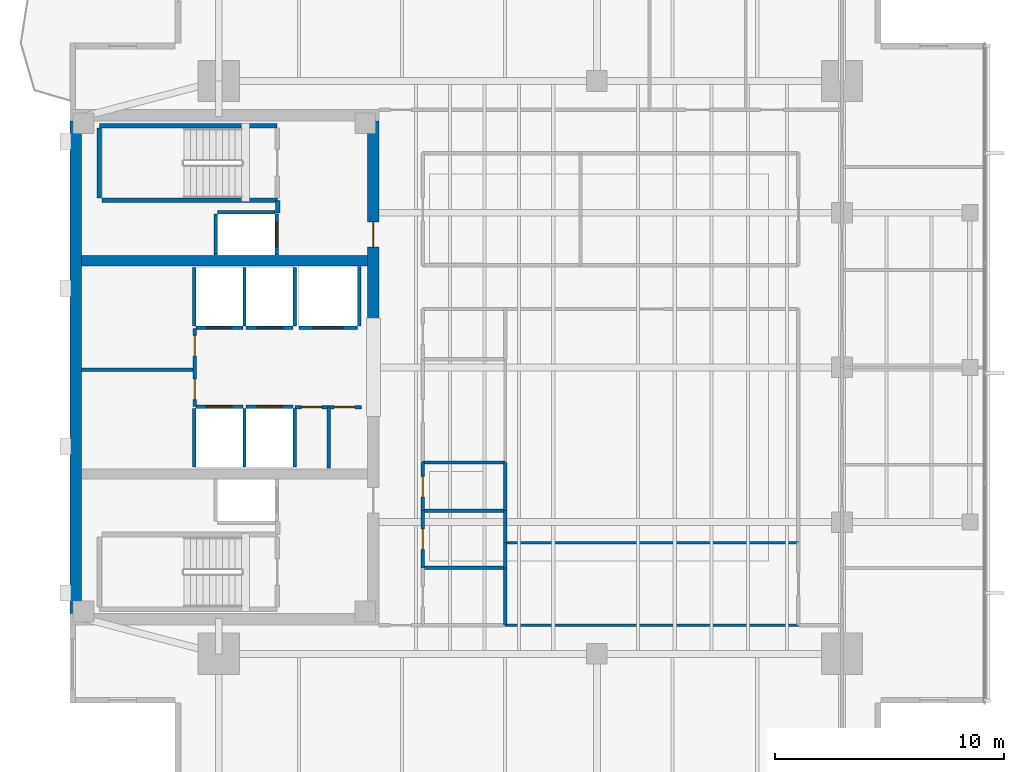
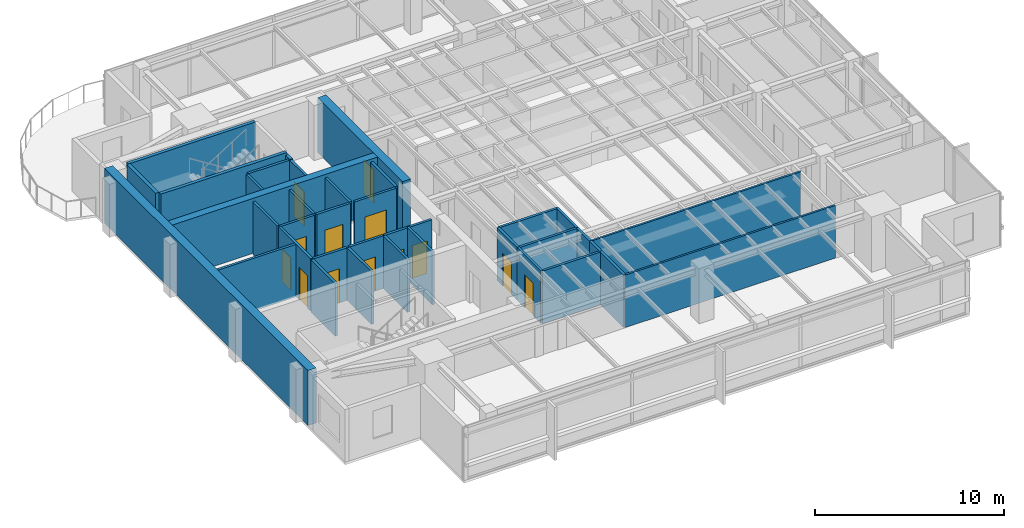
# One storey, part 7 of 13: 37 walls, 13 doors, 13 openings.
"""IFC4 building model written with IfcOpenShell, lengths in metres."""

from ifc_helpers import new_model, si_unit, direction, frame, frame_2d, origin, place, context, subcontext, project, spatial, rectangle, extrude, material, layer, layer_set, type_object, element, fill, save


model = new_model("IFC4")

# Units and contexts
model_context = context("Model", 3, precision=1e-05, world=origin(), true_north=direction((0.0, 1.0)))
body_context = subcontext(model_context, "Body", "Model", "MODEL_VIEW")
ifc_project = project(units=[si_unit("LENGTHUNIT", "METRE"), si_unit("AREAUNIT", "SQUARE_METRE"), si_unit("VOLUMEUNIT", "CUBIC_METRE"), si_unit("PLANEANGLEUNIT", "RADIAN"), si_unit("MASSUNIT", "GRAM", prefix="KILO")], contexts=[model_context])

# Site, building, storey
site_placement = place(None, origin())
site = spatial("IfcSite", under=ifc_project, at=site_placement, CompositionType="ELEMENT")
building_placement = place(site_placement, origin())
building = spatial("IfcBuilding", under=site, at=building_placement, Name="Kinhvarn Gate Tower", CompositionType="ELEMENT")
storey_placement = place(building_placement, frame((0.0, 0.0, 288.300048828125)))
storey = spatial("IfcBuildingStorey", under=building, at=storey_placement, Name="L77", CompositionType="ELEMENT", Elevation=288.300048828125)

# Wall
ifc_material_1 = material(Name="Concrete C50/60", Category="concrete")
ifc_layer_1 = layer(ifc_material_1, 0.449951171875)
ifc_layer_set_1 = layer_set([ifc_layer_1], Name="Concrete C50/60")
wall_type_1 = type_object("IfcWallType", Name="WL-CORE-450", PredefinedType="SHEAR", material=ifc_layer_set_1)
wall_1_placement = place(storey_placement, frame((5.0, 29.89990234375, 0.0), z_axis=(0.0, 0.0, 1.0), x_axis=(1.0, 0.0, 0.0)))
element("IfcWall", 1, at=wall_1_placement, inside=storey, type_object=wall_type_1, Name="Core North Spine Shear Wall L77 450 mm", PredefinedType="SHEAR", context=body_context, shape_type="SweptSolid", body=[
    extrude(rectangle(XDim=12.5, YDim=0.449951171875, at=frame_2d((6.25, 0.0))), origin(), (0.0, 0.0, 1.0), 3.550048828125),
])

# Wall, opening, door
ifc_layer_2 = layer(ifc_material_1, 0.5)
ifc_layer_set_2 = layer_set([ifc_layer_2], Name="Concrete C50/60")
wall_type_2 = type_object("IfcWallType", Name="WL-CORE-500", PredefinedType="SHEAR", material=ifc_layer_set_2)
wall_2_placement = place(storey_placement, frame((17.75, 27.050048828125, 0.0), z_axis=(0.0, 0.0, 1.0), x_axis=(0.0, 1.0, 0.0)))
wall_2 = element("IfcWall", 2, at=wall_2_placement, inside=storey, type_object=wall_type_2, Name="Core East-North Shear Pier L77 500 mm", PredefinedType="SHEAR", context=body_context, shape_type="SweptSolid", body=[
    extrude(rectangle(XDim=8.949951171875, YDim=0.5, at=frame_2d((4.47509765625, 0.0))), origin(), (0.0, 0.0, 1.0), 3.550048828125),
])
opening_1_placement = place(wall_2_placement, frame((3.449951171875, 0.0, 0.0)))
opening_1 = element("IfcOpeningElement", 3, at=opening_1_placement, cuts=wall_2, Name="Opening FD-02", PredefinedType="OPENING", context=body_context, shape_type="SweptSolid", body=[
    extrude(rectangle(XDim=1.10009765625, YDim=2.14990234375, at=frame_2d((0.550048828125, 1.074951171875))), frame((0.0, 0.260009765625, 0.0), z_axis=(0.0, -1.0, 0.0), x_axis=(1.0, 0.0, 0.0)), (0.0, 0.0, 1.0), 0.52001953125),
])
ifc_material_2 = material(Name="Anodised aluminium AW-6063", Category="aluminium")
door_type_1 = type_object("IfcDoorType", Name="DR-FD-1100", OperationType="NOTDEFINED", PredefinedType="DOOR", material=ifc_material_2)
door_1_placement = place(opening_1_placement, origin())
door_1 = element("IfcDoor", 4, at=door_1_placement, inside=storey, type_object=door_type_1, Name="Firefighting Lobby Core Door (L77)", OperationType="SINGLE_SWING_LEFT", OverallHeight=2.14990234375, OverallWidth=1.10009765625, PredefinedType="DOOR", context=body_context, shape_type="SweptSolid", body=[
    extrude(rectangle(XDim=1.10009765625, YDim=2.14990234375, at=frame_2d((0.550048828125, 1.074951171875))), frame((0.0, 0.02490234375, 0.0), z_axis=(0.0, -1.0, 0.0), x_axis=(1.0, 0.0, 0.0)), (0.0, 0.0, 1.0), 0.050048828125),
])
fill(opening_1, door_1)

# Walls
ifc_layer_3 = layer(ifc_material_1, 0.5)
ifc_layer_set_3 = layer_set([ifc_layer_3], Name="Concrete C50/60")
wall_type_3 = type_object("IfcWallType", Name="WL-COREX-500", PredefinedType="SHEAR", material=ifc_layer_set_3)
wall_3_placement = place(storey_placement, frame((4.75, 14.5, 0.0), z_axis=(0.0, 0.0, 1.0), x_axis=(0.0, 1.0, 0.0)))
element("IfcWall", 5, at=wall_3_placement, inside=storey, type_object=wall_type_3, Name="Core West Shear Wall L77 500 mm", PredefinedType="SHEAR", context=body_context, shape_type="SweptSolid", body=[
    extrude(rectangle(XDim=21.5, YDim=0.5, at=frame_2d((10.75, 0.0))), origin(), (0.0, 0.0, 1.0), 3.550048828125),
])
ifc_material_3 = material(Name="Gypsum acoustic partition board")
ifc_layer_4 = layer(ifc_material_3, 0.14990234375)
ifc_layer_set_4 = layer_set([ifc_layer_4], Name="Gypsum acoustic partition board")
wall_type_4 = type_object("IfcWallType", Name="WL-PLM-150", PredefinedType="PLUMBINGWALL", material=ifc_layer_set_4)
wall_4_placement = place(storey_placement, frame((19.89990234375, 16.5, 0.0), z_axis=(0.0, 0.0, 1.0), x_axis=(1.0, 0.0, 0.0)))
element("IfcWall", 6, at=wall_4_placement, inside=storey, type_object=wall_type_4, Name="Interior Partition PLW-150 (L77)", PredefinedType="PLUMBINGWALL", context=body_context, shape_type="SweptSolid", body=[
    extrude(rectangle(XDim=3.60009765625, YDim=0.14990234375, at=frame_2d((1.800048828125, 0.0))), origin(), (0.0, 0.0, 1.0), 3.389892578125),
])
wall_5_placement = place(storey_placement, frame((23.5, 14.0, 0.0), z_axis=(0.0, 0.0, 1.0), x_axis=(0.0, 1.0, 0.0)))
element("IfcWall", 7, at=wall_5_placement, inside=storey, type_object=wall_type_4, Name="Interior Partition PLW-150 (L77)", PredefinedType="PLUMBINGWALL", context=body_context, shape_type="SweptSolid", body=[
    extrude(rectangle(XDim=2.5, YDim=0.14990234375, at=frame_2d((1.25, 0.0))), origin(), (0.0, 0.0, 1.0), 3.389892578125),
])
wall_6_placement = place(storey_placement, frame((19.89990234375, 19.0, 0.0), z_axis=(0.0, 0.0, 1.0), x_axis=(1.0, 0.0, 0.0)))
element("IfcWall", 8, at=wall_6_placement, inside=storey, type_object=wall_type_4, Name="Interior Partition PLW-150 (L77)", PredefinedType="PLUMBINGWALL", context=body_context, shape_type="SweptSolid", body=[
    extrude(rectangle(XDim=3.60009765625, YDim=0.14990234375, at=frame_2d((1.800048828125, 0.0))), origin(), (0.0, 0.0, 1.0), 3.389892578125),
])
wall_7_placement = place(storey_placement, frame((23.5, 16.5, 0.0), z_axis=(0.0, 0.0, 1.0), x_axis=(0.0, 1.0, 0.0)))
element("IfcWall", 9, at=wall_7_placement, inside=storey, type_object=wall_type_4, Name="Interior Partition PLW-150 (L77)", PredefinedType="PLUMBINGWALL", context=body_context, shape_type="SweptSolid", body=[
    extrude(rectangle(XDim=1.10009765625, YDim=0.14990234375, at=frame_2d((0.550048828125, 0.0))), origin(), (0.0, 0.0, 1.0), 3.389892578125),
])
wall_8_placement = place(storey_placement, frame((23.5, 17.60009765625, 0.0), z_axis=(0.0, 0.0, 1.0), x_axis=(0.0, 1.0, 0.0)))
element("IfcWall", 10, at=wall_8_placement, inside=storey, type_object=wall_type_4, Name="Interior Partition PLW-150 (L77)", PredefinedType="PLUMBINGWALL", context=body_context, shape_type="SweptSolid", body=[
    extrude(rectangle(XDim=1.39990234375, YDim=0.14990234375, at=frame_2d((0.699951171875, 0.0))), origin(), (0.0, 0.0, 1.0), 3.389892578125),
])
wall_9_placement = place(storey_placement, frame((19.89990234375, 21.10009765625, 0.0), z_axis=(0.0, 0.0, 1.0), x_axis=(1.0, 0.0, 0.0)))
element("IfcWall", 11, at=wall_9_placement, inside=storey, type_object=wall_type_4, Name="Interior Partition PLW-150 (L77)", PredefinedType="PLUMBINGWALL", context=body_context, shape_type="SweptSolid", body=[
    extrude(rectangle(XDim=3.60009765625, YDim=0.14990234375, at=frame_2d((1.800048828125, 0.0))), origin(), (0.0, 0.0, 1.0), 3.389892578125),
])
wall_10_placement = place(storey_placement, frame((23.5, 19.0, 0.0), z_axis=(0.0, 0.0, 1.0), x_axis=(0.0, 1.0, 0.0)))
element("IfcWall", 12, at=wall_10_placement, inside=storey, type_object=wall_type_4, Name="Interior Partition PLW-150 (L77)", PredefinedType="PLUMBINGWALL", context=body_context, shape_type="SweptSolid", body=[
    extrude(rectangle(XDim=2.10009765625, YDim=0.14990234375, at=frame_2d((1.050048828125, 0.0))), origin(), (0.0, 0.0, 1.0), 3.389892578125),
])

# Wall, opening, door
ifc_layer_5 = layer(ifc_material_3, 0.14990234375)
ifc_layer_set_5 = layer_set([ifc_layer_5], Name="Gypsum acoustic partition board")
wall_type_5 = type_object("IfcWallType", Name="WL-PLM-150F", PredefinedType="PLUMBINGWALL", material=ifc_layer_set_5)
wall_11_placement = place(storey_placement, frame((19.89990234375, 16.5, 0.0), z_axis=(0.0, 0.0, 1.0), x_axis=(0.0, 1.0, 0.0)))
wall_11 = element("IfcWall", 13, at=wall_11_placement, inside=storey, type_object=wall_type_5, Name="Interior Partition PLW-150F (L77)", PredefinedType="PLUMBINGWALL", context=body_context, shape_type="SweptSolid", body=[
    extrude(rectangle(XDim=2.5, YDim=0.14990234375, at=frame_2d((1.25, 0.0))), origin(), (0.0, 0.0, 1.0), 3.389892578125),
])
opening_2_placement = place(wall_11_placement, frame((0.800048828125, 0.0, 0.0)))
opening_2 = element("IfcOpeningElement", 14, at=opening_2_placement, cuts=wall_11, Name="Opening FD-04", PredefinedType="OPENING", context=body_context, shape_type="SweptSolid", body=[
    extrude(rectangle(XDim=0.89990234375, YDim=2.10009765625, at=frame_2d((0.449951171875, 1.050048828125))), frame((0.0, 0.0849609375, 0.0), z_axis=(0.0, -1.0, 0.0), x_axis=(1.0, 0.0, 0.0)), (0.0, 0.0, 1.0), 0.169921875),
])
door_type_2 = type_object("IfcDoorType", Name="DR-FD-900", OperationType="NOTDEFINED", PredefinedType="DOOR", material=ifc_material_2)
door_2_placement = place(opening_2_placement, origin())
door_2 = element("IfcDoor", 15, at=door_2_placement, inside=storey, type_object=door_type_2, Name="Rated Riser & Service Closet Fire Door 900x2100 mm (L77)", OperationType="SINGLE_SWING_RIGHT", OverallHeight=2.10009765625, OverallWidth=0.89990234375, PredefinedType="DOOR", context=body_context, shape_type="SweptSolid", body=[
    extrude(rectangle(XDim=0.89990234375, YDim=2.10009765625, at=frame_2d((0.449951171875, 1.050048828125))), frame((0.0, 0.02490234375, 0.0), z_axis=(0.0, -1.0, 0.0), x_axis=(1.0, 0.0, 0.0)), (0.0, 0.0, 1.0), 0.050048828125),
])
fill(opening_2, door_2)

wall_12_placement = place(storey_placement, frame((19.89990234375, 19.0, 0.0), z_axis=(0.0, 0.0, 1.0), x_axis=(0.0, 1.0, 0.0)))
wall_12 = element("IfcWall", 16, at=wall_12_placement, inside=storey, type_object=wall_type_5, Name="Interior Partition PLW-150F (L77)", PredefinedType="PLUMBINGWALL", context=body_context, shape_type="SweptSolid", body=[
    extrude(rectangle(XDim=2.10009765625, YDim=0.14990234375, at=frame_2d((1.050048828125, 0.0))), origin(), (0.0, 0.0, 1.0), 3.389892578125),
])
opening_3_placement = place(wall_12_placement, frame((0.60009765625, 0.0, 0.0)))
opening_3 = element("IfcOpeningElement", 17, at=opening_3_placement, cuts=wall_12, Name="Opening FD-04", PredefinedType="OPENING", context=body_context, shape_type="SweptSolid", body=[
    extrude(rectangle(XDim=0.89990234375, YDim=2.10009765625, at=frame_2d((0.449951171875, 1.050048828125))), frame((0.0, 0.0849609375, 0.0), z_axis=(0.0, -1.0, 0.0), x_axis=(1.0, 0.0, 0.0)), (0.0, 0.0, 1.0), 0.169921875),
])
door_3_placement = place(opening_3_placement, origin())
door_3 = element("IfcDoor", 18, at=door_3_placement, inside=storey, type_object=door_type_2, Name="Rated Riser & Service Closet Fire Door 900x2100 mm (L77)", OperationType="SINGLE_SWING_LEFT", OverallHeight=2.10009765625, OverallWidth=0.89990234375, PredefinedType="DOOR", context=body_context, shape_type="SweptSolid", body=[
    extrude(rectangle(XDim=0.89990234375, YDim=2.10009765625, at=frame_2d((0.449951171875, 1.050048828125))), frame((0.0, 0.02490234375, 0.0), z_axis=(0.0, -1.0, 0.0), x_axis=(1.0, 0.0, 0.0)), (0.0, 0.0, 1.0), 0.050048828125),
])
fill(opening_3, door_3)

# Walls
ifc_layer_6 = layer(ifc_material_3, 0.1201171875)
ifc_layer_set_6 = layer_set([ifc_layer_6], Name="Gypsum acoustic partition board")
wall_type_6 = type_object("IfcWallType", Name="WL-PRT-120", PredefinedType="PARTITIONING", material=ifc_layer_set_6)
for number, where, z_axis, x_axis, name in (
    (19, (23.5, 17.60009765625, 0.0), (0.0, 0.0, 1.0), (1.0, 0.0, 0.0), "Interior Partition PW-120 (L77)"),
    (20, (23.5, 14.0, 0.0), (0.0, 0.0, 1.0), (1.0, 0.0, 0.0), "Interior Partition PW-120 (L77)"),
):
    element("IfcWall", number, at=place(storey_placement, frame(where, z_axis=z_axis, x_axis=x_axis)), inside=storey, type_object=wall_type_6, Name=name, PredefinedType="PARTITIONING", context=body_context, shape_type="SweptSolid", body=[
        extrude(rectangle(XDim=12.800048828125, YDim=0.1201171875, at=frame_2d((6.39990234375, 0.0))), origin(), (0.0, 0.0, 1.0), 3.389892578125),
    ])
ifc_layer_7 = layer(ifc_material_3, 0.14990234375)
ifc_layer_set_7 = layer_set([ifc_layer_7], Name="Gypsum acoustic partition board")
wall_type_7 = type_object("IfcWallType", Name="WL-PRT-150F", PredefinedType="PARTITIONING", material=ifc_layer_set_7)
wall_13_placement = place(storey_placement, frame((5.0, 25.14990234375, 0.0), z_axis=(0.0, 0.0, 1.0), x_axis=(1.0, 0.0, 0.0)))
element("IfcWall", 21, at=wall_13_placement, inside=storey, type_object=wall_type_7, Name="Interior Partition PW-150F (L77)", PredefinedType="PARTITIONING", context=body_context, shape_type="SweptSolid", body=[
    extrude(rectangle(XDim=4.949951171875, YDim=0.14990234375, at=frame_2d((2.47509765625, 0.0))), origin(), (0.0, 0.0, 1.0), 3.389892578125),
])

# Wall, openings, doors
wall_14_placement = place(storey_placement, frame((9.949951171875, 23.550048828125, 0.0), z_axis=(0.0, 0.0, 1.0), x_axis=(0.0, 1.0, 0.0)))
wall_14 = element("IfcWall", 22, at=wall_14_placement, inside=storey, type_object=wall_type_7, Name="Interior Partition PW-150F (L77)", PredefinedType="PARTITIONING", context=body_context, shape_type="SweptSolid", body=[
    extrude(rectangle(XDim=3.39990234375, YDim=0.14990234375, at=frame_2d((1.699951171875, 0.0))), origin(), (0.0, 0.0, 1.0), 3.389892578125),
])
opening_4_placement = place(wall_14_placement, frame((0.298095703125, 0.0, 0.0)))
opening_4 = element("IfcOpeningElement", 23, at=opening_4_placement, cuts=wall_14, Name="Opening FD-04", PredefinedType="OPENING", context=body_context, shape_type="SweptSolid", body=[
    extrude(rectangle(XDim=0.89990234375, YDim=2.10009765625, at=frame_2d((0.449951171875, 1.050048828125))), frame((0.0, 0.0849609375, 0.0), z_axis=(0.0, -1.0, 0.0), x_axis=(1.0, 0.0, 0.0)), (0.0, 0.0, 1.0), 0.169921875),
])
opening_5_placement = place(wall_14_placement, frame((2.201904296875, 0.0, 0.0)))
opening_5 = element("IfcOpeningElement", 24, at=opening_5_placement, cuts=wall_14, Name="Opening FD-04", PredefinedType="OPENING", context=body_context, shape_type="SweptSolid", body=[
    extrude(rectangle(XDim=0.89990234375, YDim=2.10009765625, at=frame_2d((0.449951171875, 1.050048828125))), frame((0.0, 0.0849609375, 0.0), z_axis=(0.0, -1.0, 0.0), x_axis=(1.0, 0.0, 0.0)), (0.0, 0.0, 1.0), 0.169921875),
])
door_4_placement = place(opening_4_placement, origin())
door_4 = element("IfcDoor", 25, at=door_4_placement, inside=storey, type_object=door_type_2, Name="Rated Riser & Service Closet Fire Door 900x2100 mm (L77)", OperationType="SINGLE_SWING_RIGHT", OverallHeight=2.10009765625, OverallWidth=0.89990234375, PredefinedType="DOOR", context=body_context, shape_type="SweptSolid", body=[
    extrude(rectangle(XDim=0.89990234375, YDim=2.10009765625, at=frame_2d((0.449951171875, 1.050048828125))), frame((0.0, 0.02490234375, 0.0), z_axis=(0.0, -1.0, 0.0), x_axis=(1.0, 0.0, 0.0)), (0.0, 0.0, 1.0), 0.050048828125),
])
fill(opening_4, door_4)
door_5_placement = place(opening_5_placement, origin())
door_5 = element("IfcDoor", 26, at=door_5_placement, inside=storey, type_object=door_type_2, Name="Rated Riser & Service Closet Fire Door 900x2100 mm (L77)", OperationType="SINGLE_SWING_LEFT", OverallHeight=2.10009765625, OverallWidth=0.89990234375, PredefinedType="DOOR", context=body_context, shape_type="SweptSolid", body=[
    extrude(rectangle(XDim=0.89990234375, YDim=2.10009765625, at=frame_2d((0.449951171875, 1.050048828125))), frame((0.0, 0.02490234375, 0.0), z_axis=(0.0, -1.0, 0.0), x_axis=(1.0, 0.0, 0.0)), (0.0, 0.0, 1.0), 0.050048828125),
])
fill(opening_5, door_5)

# Wall
wall_15_placement = place(storey_placement, frame((15.800048828125, 20.85009765625, 0.0), z_axis=(0.0, 0.0, 1.0), x_axis=(0.0, 1.0, 0.0)))
element("IfcWall", 27, at=wall_15_placement, inside=storey, type_object=wall_type_7, Name="Interior Partition PW-150F (L77)", PredefinedType="PARTITIONING", context=body_context, shape_type="SweptSolid", body=[
    extrude(rectangle(XDim=2.669921875, YDim=0.14990234375, at=frame_2d((1.3349609375, 0.0))), origin(), (0.0, 0.0, 1.0), 3.389892578125),
])

# Wall, openings, doors
wall_16_placement = place(storey_placement, frame((14.330078125, 23.52001953125, 0.0), z_axis=(0.0, 0.0, 1.0), x_axis=(1.0, 0.0, 0.0)))
wall_16 = element("IfcWall", 28, at=wall_16_placement, inside=storey, type_object=wall_type_7, Name="Interior Partition PW-150F (L77)", PredefinedType="PARTITIONING", context=body_context, shape_type="SweptSolid", body=[
    extrude(rectangle(XDim=2.889892578125, YDim=0.14990234375, at=frame_2d((1.44482421875, 0.0))), origin(), (0.0, 0.0, 1.0), 3.389892578125),
])
opening_6_placement = place(wall_16_placement, frame((0.280029296875, 0.0, 0.0)))
opening_6 = element("IfcOpeningElement", 29, at=opening_6_placement, cuts=wall_16, Name="Opening FD-04", PredefinedType="OPENING", context=body_context, shape_type="SweptSolid", body=[
    extrude(rectangle(XDim=0.89990234375, YDim=2.10009765625, at=frame_2d((0.449951171875, 1.050048828125))), frame((0.0, 0.0849609375, 0.0), z_axis=(0.0, -1.0, 0.0), x_axis=(1.0, 0.0, 0.0)), (0.0, 0.0, 1.0), 0.169921875),
])
opening_7_placement = place(wall_16_placement, frame((1.7099609375, 0.0, 0.0)))
opening_7 = element("IfcOpeningElement", 30, at=opening_7_placement, cuts=wall_16, Name="Opening FD-04", PredefinedType="OPENING", context=body_context, shape_type="SweptSolid", body=[
    extrude(rectangle(XDim=0.89990234375, YDim=2.10009765625, at=frame_2d((0.449951171875, 1.050048828125))), frame((0.0, 0.0849609375, 0.0), z_axis=(0.0, -1.0, 0.0), x_axis=(1.0, 0.0, 0.0)), (0.0, 0.0, 1.0), 0.169921875),
])
door_6_placement = place(opening_6_placement, origin())
door_6 = element("IfcDoor", 31, at=door_6_placement, inside=storey, type_object=door_type_2, Name="Rated Riser & Service Closet Fire Door 900x2100 mm (L77)", OperationType="SINGLE_SWING_RIGHT", OverallHeight=2.10009765625, OverallWidth=0.89990234375, PredefinedType="DOOR", context=body_context, shape_type="SweptSolid", body=[
    extrude(rectangle(XDim=0.89990234375, YDim=2.10009765625, at=frame_2d((0.449951171875, 1.050048828125))), frame((0.0, 0.02490234375, 0.0), z_axis=(0.0, -1.0, 0.0), x_axis=(1.0, 0.0, 0.0)), (0.0, 0.0, 1.0), 0.050048828125),
])
fill(opening_6, door_6)
door_7_placement = place(opening_7_placement, origin())
door_7 = element("IfcDoor", 32, at=door_7_placement, inside=storey, type_object=door_type_2, Name="Rated Riser & Service Closet Fire Door 900x2100 mm (L77)", OperationType="SINGLE_SWING_LEFT", OverallHeight=2.10009765625, OverallWidth=0.89990234375, PredefinedType="DOOR", context=body_context, shape_type="SweptSolid", body=[
    extrude(rectangle(XDim=0.89990234375, YDim=2.10009765625, at=frame_2d((0.449951171875, 1.050048828125))), frame((0.0, 0.02490234375, 0.0), z_axis=(0.0, -1.0, 0.0), x_axis=(1.0, 0.0, 0.0)), (0.0, 0.0, 1.0), 0.050048828125),
])
fill(opening_7, door_7)

# Wall
ifc_layer_8 = layer(ifc_material_3, 0.199951171875)
ifc_layer_set_8 = layer_set([ifc_layer_8], Name="Gypsum acoustic partition board")
wall_type_8 = type_object("IfcWallType", Name="WL-PRT-200", PredefinedType="PARTITIONING", material=ifc_layer_set_8)
wall_17_placement = place(storey_placement, frame((13.580078125, 32.0, 0.0), z_axis=(0.0, 0.0, 1.0), x_axis=(0.0, 1.0, 0.0)))
element("IfcWall", 33, at=wall_17_placement, inside=storey, type_object=wall_type_8, Name="Interior Partition PW-200 (L77)", PredefinedType="PARTITIONING", context=body_context, shape_type="SweptSolid", body=[
    extrude(rectangle(XDim=0.5400390625, YDim=0.199951171875, at=frame_2d((0.27001953125, 0.0))), origin(), (0.0, 0.0, 1.0), 3.389892578125),
])

# Wall, opening, door
ifc_layer_9 = layer(ifc_material_3, 0.14990234375)
ifc_layer_set_9 = layer_set([ifc_layer_9], Name="Gypsum acoustic partition board")
wall_type_9 = type_object("IfcWallType", Name="WL-SHF-150", PredefinedType="PARTITIONING", material=ifc_layer_set_9)
wall_18_placement = place(storey_placement, frame((10.0, 23.52490234375, 0.0), z_axis=(0.0, 0.0, 1.0), x_axis=(1.0, 0.0, 0.0)))
wall_18 = element("IfcWall", 34, at=wall_18_placement, inside=storey, type_object=wall_type_9, Name="Elevator PH-09 Landing Wall (L77)", PredefinedType="PARTITIONING", context=body_context, shape_type="SweptSolid", body=[
    extrude(rectangle(XDim=2.050048828125, YDim=0.14990234375, at=frame_2d((1.02490234375, 0.0))), origin(), (0.0, 0.0, 1.0), 3.389892578125),
])
opening_8_placement = place(wall_18_placement, frame((0.47509765625, 0.0, 0.0)))
opening_8 = element("IfcOpeningElement", 35, at=opening_8_placement, cuts=wall_18, Name="Opening LD-01", PredefinedType="OPENING", context=body_context, shape_type="SweptSolid", body=[
    extrude(rectangle(XDim=1.10009765625, YDim=2.199951171875, at=frame_2d((0.550048828125, 1.10009765625))), frame((0.0, 0.0849609375, 0.0), z_axis=(0.0, -1.0, 0.0), x_axis=(1.0, 0.0, 0.0)), (0.0, 0.0, 1.0), 0.169921875),
])
door_type_3 = type_object("IfcDoorType", Name="DR-LND-PAS", OperationType="NOTDEFINED", PredefinedType="DOOR", material=ifc_material_2)
door_8_placement = place(opening_8_placement, origin())
door_8 = element("IfcDoor", 36, at=door_8_placement, inside=storey, type_object=door_type_3, Name="Elevator PH-09 Sliding Landing Door (L77)", OperationType="DOUBLE_DOOR_SLIDING", OverallHeight=2.199951171875, OverallWidth=1.10009765625, PredefinedType="DOOR", context=body_context, shape_type="SweptSolid", body=[
    extrude(rectangle(XDim=1.10009765625, YDim=2.199951171875, at=frame_2d((0.550048828125, 1.10009765625))), frame((0.0, 0.02490234375, 0.0), z_axis=(0.0, -1.0, 0.0), x_axis=(1.0, 0.0, 0.0)), (0.0, 0.0, 1.0), 0.050048828125),
])
fill(opening_8, door_8)

# Walls
for number, where, z_axis, x_axis, name in (
    (37, (9.925048828125, 20.89990234375, 0.0), (0.0, 0.0, 1.0), (0.0, 1.0, 0.0), "Elevator PH-09 Hoistway Wall W (L77)"),
    (38, (12.125, 20.89990234375, 0.0), (0.0, 0.0, 1.0), (0.0, 1.0, 0.0), "Elevator PH-09 Hoistway Wall E (L77)"),
):
    element("IfcWall", number, at=place(storey_placement, frame(where, z_axis=z_axis, x_axis=x_axis)), inside=storey, type_object=wall_type_9, Name=name, PredefinedType="PARTITIONING", context=body_context, shape_type="SweptSolid", body=[
        extrude(rectangle(XDim=2.550048828125, YDim=0.14990234375, at=frame_2d((1.27490234375, 0.0))), origin(), (0.0, 0.0, 1.0), 3.389892578125),
    ])

# Wall, opening, door
wall_19_placement = place(storey_placement, frame((12.199951171875, 23.52490234375, 0.0), z_axis=(0.0, 0.0, 1.0), x_axis=(1.0, 0.0, 0.0)))
wall_19 = element("IfcWall", 39, at=wall_19_placement, inside=storey, type_object=wall_type_9, Name="Elevator PH-10 Landing Wall (L77)", PredefinedType="PARTITIONING", context=body_context, shape_type="SweptSolid", body=[
    extrude(rectangle(XDim=2.050048828125, YDim=0.14990234375, at=frame_2d((1.02490234375, 0.0))), origin(), (0.0, 0.0, 1.0), 3.389892578125),
])
opening_9_placement = place(wall_19_placement, frame((0.47509765625, 0.0, 0.0)))
opening_9 = element("IfcOpeningElement", 40, at=opening_9_placement, cuts=wall_19, Name="Opening LD-01", PredefinedType="OPENING", context=body_context, shape_type="SweptSolid", body=[
    extrude(rectangle(XDim=1.10009765625, YDim=2.199951171875, at=frame_2d((0.550048828125, 1.10009765625))), frame((0.0, 0.0849609375, 0.0), z_axis=(0.0, -1.0, 0.0), x_axis=(1.0, 0.0, 0.0)), (0.0, 0.0, 1.0), 0.169921875),
])
door_9_placement = place(opening_9_placement, origin())
door_9 = element("IfcDoor", 41, at=door_9_placement, inside=storey, type_object=door_type_3, Name="Elevator PH-10 Sliding Landing Door (L77)", OperationType="DOUBLE_DOOR_SLIDING", OverallHeight=2.199951171875, OverallWidth=1.10009765625, PredefinedType="DOOR", context=body_context, shape_type="SweptSolid", body=[
    extrude(rectangle(XDim=1.10009765625, YDim=2.199951171875, at=frame_2d((0.550048828125, 1.10009765625))), frame((0.0, 0.02490234375, 0.0), z_axis=(0.0, -1.0, 0.0), x_axis=(1.0, 0.0, 0.0)), (0.0, 0.0, 1.0), 0.050048828125),
])
fill(opening_9, door_9)

# Wall
wall_20_placement = place(storey_placement, frame((14.324951171875, 20.89990234375, 0.0), z_axis=(0.0, 0.0, 1.0), x_axis=(0.0, 1.0, 0.0)))
element("IfcWall", 42, at=wall_20_placement, inside=storey, type_object=wall_type_9, Name="Elevator PH-10 Hoistway Wall E (L77)", PredefinedType="PARTITIONING", context=body_context, shape_type="SweptSolid", body=[
    extrude(rectangle(XDim=2.550048828125, YDim=0.14990234375, at=frame_2d((1.27490234375, 0.0))), origin(), (0.0, 0.0, 1.0), 3.389892578125),
])

# Wall, opening, door
wall_21_placement = place(storey_placement, frame((10.0, 26.97509765625, 0.0), z_axis=(0.0, 0.0, 1.0), x_axis=(1.0, 0.0, 0.0)))
wall_21 = element("IfcWall", 43, at=wall_21_placement, inside=storey, type_object=wall_type_9, Name="Elevator PH-11 Landing Wall (L77)", PredefinedType="PARTITIONING", context=body_context, shape_type="SweptSolid", body=[
    extrude(rectangle(XDim=2.050048828125, YDim=0.14990234375, at=frame_2d((1.02490234375, 0.0))), origin(), (0.0, 0.0, 1.0), 3.389892578125),
])
opening_10_placement = place(wall_21_placement, frame((0.47509765625, 0.0, 0.0)))
opening_10 = element("IfcOpeningElement", 44, at=opening_10_placement, cuts=wall_21, Name="Opening LD-01", PredefinedType="OPENING", context=body_context, shape_type="SweptSolid", body=[
    extrude(rectangle(XDim=1.10009765625, YDim=2.199951171875, at=frame_2d((0.550048828125, 1.10009765625))), frame((0.0, 0.0849609375, 0.0), z_axis=(0.0, -1.0, 0.0), x_axis=(1.0, 0.0, 0.0)), (0.0, 0.0, 1.0), 0.169921875),
])
door_10_placement = place(opening_10_placement, origin())
door_10 = element("IfcDoor", 45, at=door_10_placement, inside=storey, type_object=door_type_3, Name="Elevator PH-11 Sliding Landing Door (L77)", OperationType="DOUBLE_DOOR_SLIDING", OverallHeight=2.199951171875, OverallWidth=1.10009765625, PredefinedType="DOOR", context=body_context, shape_type="SweptSolid", body=[
    extrude(rectangle(XDim=1.10009765625, YDim=2.199951171875, at=frame_2d((0.550048828125, 1.10009765625))), frame((0.0, 0.02490234375, 0.0), z_axis=(0.0, -1.0, 0.0), x_axis=(1.0, 0.0, 0.0)), (0.0, 0.0, 1.0), 0.050048828125),
])
fill(opening_10, door_10)

# Walls
for number, where, z_axis, x_axis, name in (
    (46, (9.925048828125, 27.050048828125, 0.0), (0.0, 0.0, 1.0), (0.0, 1.0, 0.0), "Elevator PH-11 Hoistway Wall W (L77)"),
    (47, (12.125, 27.050048828125, 0.0), (0.0, 0.0, 1.0), (0.0, 1.0, 0.0), "Elevator PH-11 Hoistway Wall E (L77)"),
):
    element("IfcWall", number, at=place(storey_placement, frame(where, z_axis=z_axis, x_axis=x_axis)), inside=storey, type_object=wall_type_9, Name=name, PredefinedType="PARTITIONING", context=body_context, shape_type="SweptSolid", body=[
        extrude(rectangle(XDim=2.550048828125, YDim=0.14990234375, at=frame_2d((1.27490234375, 0.0))), origin(), (0.0, 0.0, 1.0), 3.389892578125),
    ])

# Wall, opening, door
wall_22_placement = place(storey_placement, frame((12.199951171875, 26.97509765625, 0.0), z_axis=(0.0, 0.0, 1.0), x_axis=(1.0, 0.0, 0.0)))
wall_22 = element("IfcWall", 48, at=wall_22_placement, inside=storey, type_object=wall_type_9, Name="Elevator PH-12 Landing Wall (L77)", PredefinedType="PARTITIONING", context=body_context, shape_type="SweptSolid", body=[
    extrude(rectangle(XDim=2.050048828125, YDim=0.14990234375, at=frame_2d((1.02490234375, 0.0))), origin(), (0.0, 0.0, 1.0), 3.389892578125),
])
opening_11_placement = place(wall_22_placement, frame((0.47509765625, 0.0, 0.0)))
opening_11 = element("IfcOpeningElement", 49, at=opening_11_placement, cuts=wall_22, Name="Opening LD-01", PredefinedType="OPENING", context=body_context, shape_type="SweptSolid", body=[
    extrude(rectangle(XDim=1.10009765625, YDim=2.199951171875, at=frame_2d((0.550048828125, 1.10009765625))), frame((0.0, 0.0849609375, 0.0), z_axis=(0.0, -1.0, 0.0), x_axis=(1.0, 0.0, 0.0)), (0.0, 0.0, 1.0), 0.169921875),
])
door_11_placement = place(opening_11_placement, origin())
door_11 = element("IfcDoor", 50, at=door_11_placement, inside=storey, type_object=door_type_3, Name="Elevator PH-12 Sliding Landing Door (L77)", OperationType="DOUBLE_DOOR_SLIDING", OverallHeight=2.199951171875, OverallWidth=1.10009765625, PredefinedType="DOOR", context=body_context, shape_type="SweptSolid", body=[
    extrude(rectangle(XDim=1.10009765625, YDim=2.199951171875, at=frame_2d((0.550048828125, 1.10009765625))), frame((0.0, 0.02490234375, 0.0), z_axis=(0.0, -1.0, 0.0), x_axis=(1.0, 0.0, 0.0)), (0.0, 0.0, 1.0), 0.050048828125),
])
fill(opening_11, door_11)

# Wall
wall_23_placement = place(storey_placement, frame((14.324951171875, 27.050048828125, 0.0), z_axis=(0.0, 0.0, 1.0), x_axis=(0.0, 1.0, 0.0)))
element("IfcWall", 51, at=wall_23_placement, inside=storey, type_object=wall_type_9, Name="Elevator PH-12 Hoistway Wall E (L77)", PredefinedType="PARTITIONING", context=body_context, shape_type="SweptSolid", body=[
    extrude(rectangle(XDim=2.550048828125, YDim=0.14990234375, at=frame_2d((1.27490234375, 0.0))), origin(), (0.0, 0.0, 1.0), 3.389892578125),
])

# Wall, opening, door
wall_24_placement = place(storey_placement, frame((14.5, 26.97509765625, 0.0), z_axis=(0.0, 0.0, 1.0), x_axis=(1.0, 0.0, 0.0)))
wall_24 = element("IfcWall", 52, at=wall_24_placement, inside=storey, type_object=wall_type_9, Name="Elevator SV-01 Landing Wall (L77)", PredefinedType="PARTITIONING", context=body_context, shape_type="SweptSolid", body=[
    extrude(rectangle(XDim=2.550048828125, YDim=0.14990234375, at=frame_2d((1.27490234375, 0.0))), origin(), (0.0, 0.0, 1.0), 3.389892578125),
])
opening_12_placement = place(wall_24_placement, frame((0.625, 0.0, 0.0)))
opening_12 = element("IfcOpeningElement", 53, at=opening_12_placement, cuts=wall_24, Name="Opening LD-02", PredefinedType="OPENING", context=body_context, shape_type="SweptSolid", body=[
    extrude(rectangle(XDim=1.300048828125, YDim=2.199951171875, at=frame_2d((0.64990234375, 1.10009765625))), frame((0.0, 0.0849609375, 0.0), z_axis=(0.0, -1.0, 0.0), x_axis=(1.0, 0.0, 0.0)), (0.0, 0.0, 1.0), 0.169921875),
])
door_type_4 = type_object("IfcDoorType", Name="DR-LND-SRV", OperationType="NOTDEFINED", PredefinedType="DOOR", material=ifc_material_2)
door_12_placement = place(opening_12_placement, origin())
door_12 = element("IfcDoor", 54, at=door_12_placement, inside=storey, type_object=door_type_4, Name="Elevator SV-01 Sliding Landing Door (L77)", OperationType="DOUBLE_DOOR_SLIDING", OverallHeight=2.199951171875, OverallWidth=1.300048828125, PredefinedType="DOOR", context=body_context, shape_type="SweptSolid", body=[
    extrude(rectangle(XDim=1.300048828125, YDim=2.199951171875, at=frame_2d((0.64990234375, 1.10009765625))), frame((0.0, 0.02490234375, 0.0), z_axis=(0.0, -1.0, 0.0), x_axis=(1.0, 0.0, 0.0)), (0.0, 0.0, 1.0), 0.050048828125),
])
fill(opening_12, door_12)

# Walls
wall_25_placement = place(storey_placement, frame((17.125, 27.050048828125, 0.0), z_axis=(0.0, 0.0, 1.0), x_axis=(0.0, 1.0, 0.0)))
element("IfcWall", 55, at=wall_25_placement, inside=storey, type_object=wall_type_9, Name="Elevator SV-01 Hoistway Wall E (L77)", PredefinedType="PARTITIONING", context=body_context, shape_type="SweptSolid", body=[
    extrude(rectangle(XDim=2.599853515625, YDim=0.14990234375, at=frame_2d((1.2998046875, 0.0))), origin(), (0.0, 0.0, 1.0), 3.389892578125),
])
wall_26_placement = place(storey_placement, frame((10.949951171875, 32.02490234375, 0.0), z_axis=(0.0, 0.0, 1.0), x_axis=(1.0, 0.0, 0.0)))
element("IfcWall", 56, at=wall_26_placement, inside=storey, type_object=wall_type_9, Name="Elevator FF2 Hoistway Wall N (L77)", PredefinedType="PARTITIONING", context=body_context, shape_type="SweptSolid", body=[
    extrude(rectangle(XDim=2.5, YDim=0.14990234375, at=frame_2d((1.25, 0.0))), origin(), (0.0, 0.0, 1.0), 3.389892578125),
])
wall_27_placement = place(storey_placement, frame((10.875, 30.14990234375, 0.0), z_axis=(0.0, 0.0, 1.0), x_axis=(0.0, 1.0, 0.0)))
element("IfcWall", 57, at=wall_27_placement, inside=storey, type_object=wall_type_9, Name="Elevator FF2 Hoistway Wall W (L77)", PredefinedType="PARTITIONING", context=body_context, shape_type="SweptSolid", body=[
    extrude(rectangle(XDim=1.800048828125, YDim=0.14990234375, at=frame_2d((0.89990234375, 0.0))), origin(), (0.0, 0.0, 1.0), 3.389892578125),
])

# Wall, opening, door
wall_28_placement = place(storey_placement, frame((13.52490234375, 30.14990234375, 0.0), z_axis=(0.0, 0.0, 1.0), x_axis=(0.0, 1.0, 0.0)))
wall_28 = element("IfcWall", 58, at=wall_28_placement, inside=storey, type_object=wall_type_9, Name="Elevator FF2 Landing Wall (L77)", PredefinedType="PARTITIONING", context=body_context, shape_type="SweptSolid", body=[
    extrude(rectangle(XDim=1.800048828125, YDim=0.14990234375, at=frame_2d((0.89990234375, 0.0))), origin(), (0.0, 0.0, 1.0), 3.389892578125),
])
opening_13_placement = place(wall_28_placement, frame((0.35009765625, 0.0, 0.0)))
opening_13 = element("IfcOpeningElement", 59, at=opening_13_placement, cuts=wall_28, Name="Opening LD-03", PredefinedType="OPENING", context=body_context, shape_type="SweptSolid", body=[
    extrude(rectangle(XDim=1.10009765625, YDim=2.199951171875, at=frame_2d((0.550048828125, 1.10009765625))), frame((0.0, 0.0849609375, 0.0), z_axis=(0.0, -1.0, 0.0), x_axis=(1.0, 0.0, 0.0)), (0.0, 0.0, 1.0), 0.169921875),
])
door_type_5 = type_object("IfcDoorType", Name="DR-LND-FF", OperationType="NOTDEFINED", PredefinedType="DOOR", material=ifc_material_2)
door_13_placement = place(opening_13_placement, origin())
door_13 = element("IfcDoor", 60, at=door_13_placement, inside=storey, type_object=door_type_5, Name="Elevator FF2 Sliding Landing Door (L77)", OperationType="DOUBLE_DOOR_SLIDING", OverallHeight=2.199951171875, OverallWidth=1.10009765625, PredefinedType="DOOR", context=body_context, shape_type="SweptSolid", body=[
    extrude(rectangle(XDim=1.10009765625, YDim=2.199951171875, at=frame_2d((0.550048828125, 1.10009765625))), frame((0.0, 0.02490234375, 0.0), z_axis=(0.0, -1.0, 0.0), x_axis=(1.0, 0.0, 0.0)), (0.0, 0.0, 1.0), 0.050048828125),
])
fill(opening_13, door_13)

# Walls
ifc_material_4 = material(Name="Concrete C40/50", Category="concrete")
ifc_layer_10 = layer(ifc_material_4, 0.199951171875)
ifc_layer_set_10 = layer_set([ifc_layer_10], Name="Concrete C40/50")
wall_type_10 = type_object("IfcWallType", Name="WL-SHF-200", PredefinedType="SOLIDWALL", material=ifc_layer_set_10)
wall_29_placement = place(storey_placement, frame((5.800048828125, 35.800048828125, 0.0), z_axis=(0.0, 0.0, 1.0), x_axis=(1.0, 0.0, 0.0)))
element("IfcWall", 61, at=wall_29_placement, inside=storey, type_object=wall_type_10, Name="Stair ST2 North Shaft Wall (L77)", PredefinedType="SOLIDWALL", context=body_context, shape_type="SweptSolid", body=[
    extrude(rectangle(XDim=7.75, YDim=0.199951171875, at=frame_2d((3.875, 0.0))), origin(), (0.0, 0.0, 1.0), 3.550048828125),
])
wall_30_placement = place(storey_placement, frame((5.7900390625, 32.64990234375, 0.0), z_axis=(0.0, 0.0, 1.0), x_axis=(0.0, 1.0, 0.0)))
element("IfcWall", 62, at=wall_30_placement, inside=storey, type_object=wall_type_10, Name="Stair ST2 West Shaft Wall (L77)", PredefinedType="SOLIDWALL", context=body_context, shape_type="SweptSolid", body=[
    extrude(rectangle(XDim=3.050048828125, YDim=0.199951171875, at=frame_2d((1.52490234375, 0.0))), origin(), (0.0, 0.0, 1.0), 3.550048828125),
])
wall_31_placement = place(storey_placement, frame((5.89990234375, 32.5400390625, 0.0), z_axis=(0.0, 0.0, 1.0), x_axis=(1.0, 0.0, 0.0)))
element("IfcWall", 63, at=wall_31_placement, inside=storey, type_object=wall_type_10, Name="Stair ST2 South Shaft Wall (L77)", PredefinedType="SOLIDWALL", context=body_context, shape_type="SweptSolid", body=[
    extrude(rectangle(XDim=7.66015625, YDim=0.199951171875, at=frame_2d((3.830078125, 0.0))), origin(), (0.0, 0.0, 1.0), 3.550048828125),
])

save(model, "model.ifc")
